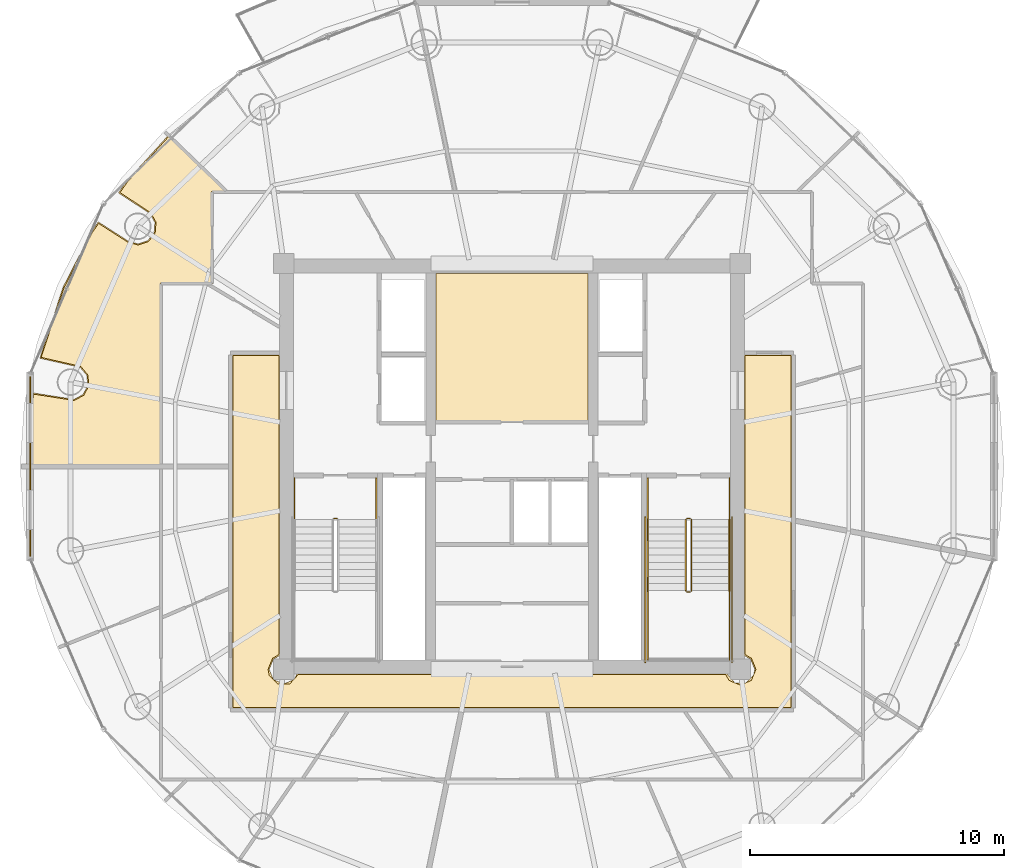
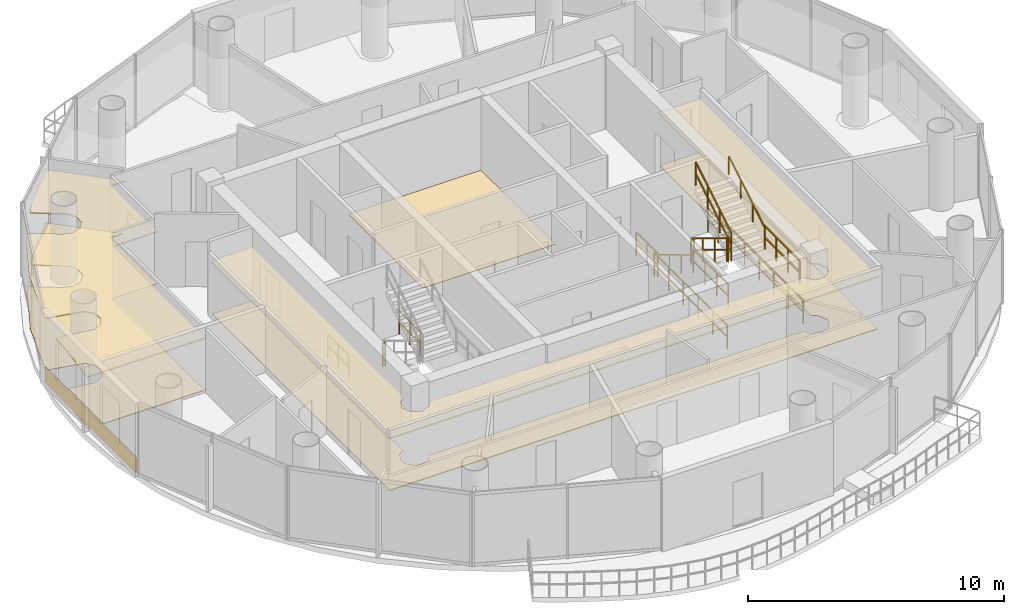
# One storey, part 22 of 23: 15 railings, 6 coverings.
"""IFC4 building model written with IfcOpenShell, lengths in metres."""

import ifcopenshell
import ifcopenshell.guid

model = None  # the IFC model being written
_history = None  # IfcOwnerHistory: only IFC2X3 demands one
_inside = {}  # id of a spatial element -> (the spatial element, [elements in it])
_under = {}  # id of a project, library or spatial element -> (it, [spatial elements below it])
_declared = {}  # id of a project -> (the project, [libraries it declares])
_typed = {}  # id of a type object -> (the type object, [elements of that type])
_made_of = {}  # id of a material, layer set ... -> (it, [elements and type objects made of it])


def new_model(schema):
    """Start an empty IFC model of exactly this schema.

    Asked for "IFC4X3", IfcOpenShell would pick the latest addendum, in which some entities
    have other attributes; the version numbers below select the first issue.
    IFC2X3 requires an IfcOwnerHistory on every rooted entity: one is made here for all.
    """
    global model, _history
    if schema == "IFC4X3":
        model = ifcopenshell.file(schema_version=(4, 3, 0, 0))
    else:
        model = ifcopenshell.file(schema=schema)
    _inside.clear()
    _under.clear()
    _declared.clear()
    _typed.clear()
    _made_of.clear()
    _history = None
    if model.schema == "IFC2X3":
        org = make("IfcOrganization", Name="unknown")
        user = make(
            "IfcPersonAndOrganization",
            ThePerson=make("IfcPerson", FamilyName="unknown"),
            TheOrganization=org,
        )
        app = make(
            "IfcApplication",
            ApplicationDeveloper=org,
            Version="unknown",
            ApplicationFullName="unknown",
            ApplicationIdentifier="unknown",
        )
        _history = make(
            "IfcOwnerHistory",
            OwningUser=user,
            OwningApplication=app,
            ChangeAction="ADDED",
            CreationDate=0,
        )
    return model


def make(cls, **values):
    """One entity of the class cls with the attributes given. An attribute that is None is left unset."""
    return model.create_entity(
        cls, **{name: value for name, value in values.items() if value is not None}
    )


def rooted(cls, **values):
    """An entity with a GlobalId (a new one), such as an element, a storey or a relation."""
    return make(cls, GlobalId=ifcopenshell.guid.new(), OwnerHistory=_history, **values)


def si_unit(unit_type, name, prefix=None):
    """IfcSIUnit, for example si_unit("LENGTHUNIT", "METRE", prefix="MILLI")."""
    return make("IfcSIUnit", UnitType=unit_type, Prefix=prefix, Name=name)


def assignment(units):
    """IfcUnitAssignment: the units of a project."""
    return None if units is None else make("IfcUnitAssignment", Units=units)


def point(xyz):
    """IfcCartesianPoint."""
    return None if xyz is None else make("IfcCartesianPoint", Coordinates=xyz)


def direction(xyz):
    """IfcDirection."""
    return None if xyz is None else make("IfcDirection", DirectionRatios=xyz)


def frame(location, z_axis=None, x_axis=None):
    """IfcAxis2Placement3D, a coordinate frame: its origin and axes. An axis left out is left unset."""
    return make(
        "IfcAxis2Placement3D",
        Location=point(location),
        Axis=direction(z_axis),
        RefDirection=direction(x_axis),
    )


def frame_2d(location, x_axis=None):
    """IfcAxis2Placement2D, a coordinate frame in the plane: its origin and x axis."""
    return make(
        "IfcAxis2Placement2D", Location=point(location), RefDirection=direction(x_axis)
    )


def origin():
    """The frame at (0, 0, 0) with its axes left unset."""
    return frame((0.0, 0.0, 0.0))


def origin_2d():
    """The frame at (0, 0) in the plane with its x axis left unset."""
    return frame_2d((0.0, 0.0))


def place(relative_to, where):
    """IfcLocalPlacement: puts the frame where relative to a parent placement (None: the world)."""
    return make(
        "IfcLocalPlacement", PlacementRelTo=relative_to, RelativePlacement=where
    )


def context(
    kind, dimensions, precision=None, world=None, true_north=None, identifier=None
):
    """IfcGeometricRepresentationContext, for example the 3D "Model" context."""
    return make(
        "IfcGeometricRepresentationContext",
        ContextIdentifier=identifier,
        ContextType=kind,
        CoordinateSpaceDimension=dimensions,
        Precision=precision,
        WorldCoordinateSystem=world,
        TrueNorth=true_north,
    )


def subcontext(parent, identifier, kind, view, scale=None):
    """IfcGeometricRepresentationSubContext, for example "Body" below "Model"."""
    return make(
        "IfcGeometricRepresentationSubContext",
        ContextIdentifier=identifier,
        ContextType=kind,
        ParentContext=parent,
        TargetScale=scale,
        TargetView=view,
    )


def project(units=None, contexts=None):
    """IfcProject with its units and contexts."""
    return rooted(
        "IfcProject",
        Name="project",
        RepresentationContexts=contexts,
        UnitsInContext=assignment(units),
    )


def spatial(cls, under=None, at=None, **own):
    """A site, building, storey or space (cls), placed at a placement, below another one or the project."""
    s = rooted(cls, ObjectPlacement=at, **own)
    if under is not None:
        _under.setdefault(under.id(), (under, []))[1].append(s)
    return s


def polyline(points):
    """IfcPolyline through the points."""
    return make("IfcPolyline", Points=[point(p) for p in points])


def profile(cls, at=None, kind="AREA", **sizes):
    """A parametric profile (cls). Its sizes go by their IFC names, for example OverallWidth=200.0."""
    return make(cls, ProfileType=kind, Position=at, **sizes)


def rectangle(**sizes):
    """IfcRectangleProfileDef."""
    return profile("IfcRectangleProfileDef", **sizes)


def outline(outer, holes=None, kind="AREA"):
    """IfcArbitraryClosedProfileDef: a profile drawn as a closed curve; with holes, ...WithVoids."""
    if holes is None:
        return make("IfcArbitraryClosedProfileDef", ProfileType=kind, OuterCurve=outer)
    return make(
        "IfcArbitraryProfileDefWithVoids",
        ProfileType=kind,
        OuterCurve=outer,
        InnerCurves=holes,
    )


def extrude(swept, where, along, depth):
    """IfcExtrudedAreaSolid: the profile swept, set in the frame where, extruded along a direction by depth."""
    return make(
        "IfcExtrudedAreaSolid",
        SweptArea=swept,
        Position=where,
        ExtrudedDirection=direction(along),
        Depth=depth,
    )


def shape(context_of_items, identifier, shape_type, items):
    """IfcShapeRepresentation: the items that make up one representation, for example the "Body"."""
    return make(
        "IfcShapeRepresentation",
        ContextOfItems=context_of_items,
        RepresentationIdentifier=identifier,
        RepresentationType=shape_type,
        Items=items,
    )


def source(mapping_origin, context_of_items, identifier, shape_type, items):
    """IfcRepresentationMap: a shape defined once, which mapped items show again and again."""
    return make(
        "IfcRepresentationMap",
        MappingOrigin=mapping_origin,
        MappedRepresentation=shape(context_of_items, identifier, shape_type, items),
    )


def transform(
    local_origin,
    x_axis=None,
    y_axis=None,
    z_axis=None,
    scale=None,
    scale2=None,
    scale3=None,
    uniform=True,
):
    """IfcCartesianTransformationOperator3D, or its non-uniform kind. x_axis, y_axis, z_axis: its Axis1, 2, 3."""
    if uniform:
        return make(
            "IfcCartesianTransformationOperator3D",
            Axis1=direction(x_axis),
            Axis2=direction(y_axis),
            LocalOrigin=point(local_origin),
            Scale=scale,
            Axis3=direction(z_axis),
        )
    return make(
        "IfcCartesianTransformationOperator3DnonUniform",
        Axis1=direction(x_axis),
        Axis2=direction(y_axis),
        LocalOrigin=point(local_origin),
        Scale=scale,
        Axis3=direction(z_axis),
        Scale2=scale2,
        Scale3=scale3,
    )


def mapped(mapping_source, mapping_target):
    """IfcMappedItem: shows the shape of a source again, moved by a transform."""
    return make(
        "IfcMappedItem", MappingSource=mapping_source, MappingTarget=mapping_target
    )


def material(Name=None, Category=None):
    """IfcMaterial."""
    return make("IfcMaterial", Name=Name, Category=Category)


def layer(
    of_material, thickness, ventilated=None, Name=None, Category=None, Priority=None
):
    """IfcMaterialLayer: one layer of a wall or slab, of a material (None: an air gap)."""
    return make(
        "IfcMaterialLayer",
        Material=of_material,
        LayerThickness=thickness,
        IsVentilated=ventilated,
        Name=Name,
        Category=Category,
        Priority=Priority,
    )


def layer_set(layers, Name=None):
    """IfcMaterialLayerSet."""
    return make("IfcMaterialLayerSet", MaterialLayers=layers, LayerSetName=Name)


def made_of(thing, what):
    """Note that an element or type object is made of a material, layer set ...; save() writes the relation."""
    if what is not None:
        _made_of.setdefault(what.id(), (what, []))[1].append(thing)
    return thing


def type_object(cls, material=None, **own):
    """A type object (cls), such as IfcWallType, which elements share."""
    return made_of(rooted(cls, **own), material)


def element(
    cls,
    number,
    at=None,
    inside=None,
    cuts=None,
    type_object=None,
    material=None,
    context=None,
    identifier="Body",
    shape_type=None,
    held_by="IfcProductDefinitionShape",
    body=None,
    shapes=None,
    **own,
):
    """One element of the class cls, such as IfcWall. Its Tag is "e" and its number.

    at: its placement. inside: the storey or other place that contains it. cuts: it is an
    opening in that element (IfcRelVoidsElement). A single representation is given by context,
    identifier, shape_type and body (its items); several are given by shapes. held_by: the class
    of the entity that holds the representations. save() writes the other relations.
    """
    e = rooted(cls, Tag="e%d" % number, ObjectPlacement=at, **own)
    if body is not None:
        shapes = [shape(context, identifier, shape_type, body)]
    if shapes is not None:
        e.Representation = make(held_by, Representations=shapes)
    if inside is not None:
        _inside.setdefault(inside.id(), (inside, []))[1].append(e)
    if cuts is not None:
        rooted(
            "IfcRelVoidsElement", RelatingBuildingElement=cuts, RelatedOpeningElement=e
        )
    if type_object is not None:
        _typed.setdefault(type_object.id(), (type_object, []))[1].append(e)
    return made_of(e, material)


def aggregate(whole, parts):
    """IfcRelAggregates: a whole, such as a stair, and the parts it consists of."""
    return rooted("IfcRelAggregates", RelatingObject=whole, RelatedObjects=parts)


def save(model, path):
    """Write the relations noted so far, then the file.

    IfcRelAggregates (storeys below a building ...), IfcRelContainedInSpatialStructure (elements
    in a storey), IfcRelDefinesByType, IfcRelAssociatesMaterial and IfcRelDeclares: one each for
    every whole, place, type object, material and project.
    """
    for whole, parts in _under.values():
        aggregate(whole, parts)
    for where, things in _inside.values():
        rooted(
            "IfcRelContainedInSpatialStructure",
            RelatedElements=things,
            RelatingStructure=where,
        )
    for kind, things in _typed.values():
        rooted("IfcRelDefinesByType", RelatedObjects=things, RelatingType=kind)
    for what, things in _made_of.values():
        rooted("IfcRelAssociatesMaterial", RelatedObjects=things, RelatingMaterial=what)
    for by, libraries in _declared.values():
        rooted("IfcRelDeclares", RelatingContext=by, RelatedDefinitions=libraries)
    model.write(path)


model = new_model("IFC4")

# Units and contexts
model_context = context("Model", 3, precision=1e-05, world=origin(), true_north=direction((-0.2419218956, 0.970295726276)))
body_context = subcontext(model_context, "Body", "Model", "MODEL_VIEW")
ifc_project = project(units=[si_unit("LENGTHUNIT", "METRE"), si_unit("AREAUNIT", "SQUARE_METRE"), si_unit("VOLUMEUNIT", "CUBIC_METRE"), si_unit("PLANEANGLEUNIT", "RADIAN"), si_unit("MASSUNIT", "GRAM", prefix="KILO")], contexts=[model_context])

# Site, building, storey
site_placement = place(None, origin())
site = spatial("IfcSite", under=ifc_project, at=site_placement, CompositionType="ELEMENT")
building_placement = place(site_placement, origin())
building = spatial("IfcBuilding", under=site, at=building_placement, Name="Cobrevalo Terracotta Tower", CompositionType="ELEMENT")
storey_placement = place(building_placement, frame((0.0, 0.0, 266.949951171875)))
storey = spatial("IfcBuildingStorey", under=building, at=storey_placement, Name="L70", CompositionType="ELEMENT", Elevation=266.949951171875)

# Coverings
ifc_material_1 = material(Name="Engineered Brazilian hardwood flooring", Category="wood")
ifc_layer_1 = layer(ifc_material_1, 0.028076171875)
ifc_layer_set_1 = layer_set([ifc_layer_1], Name="Engineered Brazilian hardwood flooring")
covering_type_1 = type_object("IfcCoveringType", Name="Engineered Hardwood Suite Flooring 28", PredefinedType="FLOORING", material=ifc_layer_set_1)
covering_1_placement = place(storey_placement, origin())
element("IfcCovering", 1, at=covering_1_placement, inside=storey, type_object=covering_type_1, Name="Flat L70A Private Cinema Room floor finish", PredefinedType="FLOORING", context=body_context, shape_type="SweptSolid", body=[
    extrude(outline(polyline([(26.72021484375, 37.64501953125), (26.155029296875, 37.64501953125), (26.155029296875, 34.030029296875), (24.14501953125, 34.030029296875), (24.14501953125, 26.820068359375), (18.88134765625, 26.820068359375), (19.1357421875, 29.65087890625), (20.740966796875, 29.401611328125), (21.118408203125, 29.60693359375), (21.318115234375, 29.9873046875), (21.272705078125, 30.41455078125), (20.99755859375, 30.74462890625), (19.43505859375, 31.1005859375), (20.33544921875, 33.848876953125), (21.44140625, 36.009765625), (21.699951171875, 36.382568359375), (22.842529296875, 35.649169921875), (23.255126953125, 35.532470703125), (23.663818359375, 35.664794921875), (23.93017578125, 36.001953125), (23.964599609375, 36.43017578125), (23.7548828125, 36.805419921875), (22.5439453125, 37.599365234375), (22.830810546875, 38.01318359375), (24.47021484375, 39.81396484375), (26.72021484375, 37.64501953125)])), origin(), (0.0, 0.0, 1.0), 0.030029296875),
])
ifc_material_2 = material(Name="Honed terracotta and granite tile", Category="masonry")
ifc_layer_2 = layer(ifc_material_2, 0.034912109375)
ifc_layer_set_2 = layer_set([ifc_layer_2], Name="Honed terracotta and granite tile")
covering_type_2 = type_object("IfcCoveringType", Name="Honed Terracotta & Granite Interior Flooring 35", PredefinedType="FLOORING", material=ifc_layer_set_2)
covering_2_placement = place(storey_placement, origin())
element("IfcCovering", 2, at=covering_2_placement, inside=storey, type_object=covering_type_2, Name="Floor Electrical Switchroom floor finish", PredefinedType="FLOORING", context=body_context, shape_type="SweptSolid", body=[
    extrude(outline(polyline([(35.010009765625, 34.405029296875), (40.989990234375, 34.405029296875), (40.989990234375, 28.580078125), (35.010009765625, 28.580078125), (35.010009765625, 34.405029296875)])), origin(), (0.0, 0.0, 1.0), 0.030029296875),
])
covering_3_placement = place(storey_placement, origin())
element("IfcCovering", 3, at=covering_3_placement, inside=storey, type_object=covering_type_2, Name="L70 Residential Floor Corridor floor finish", PredefinedType="FLOORING", context=body_context, shape_type="SweptSolid", body=[
    extrude(outline(polyline([(26.9951171875, 31.179931640625), (28.804931640625, 31.179931640625), (28.804931640625, 19.381591796875), (28.561279296875, 19.23876953125), (28.379638671875, 18.800048828125), (28.4267578125, 18.5625), (28.7626953125, 18.226806640625), (29.2373046875, 18.226806640625), (29.58154296875, 18.60498046875), (46.41845703125, 18.60498046875), (46.561279296875, 18.361328125), (47.0, 18.1796875), (47.438720703125, 18.361328125), (47.620361328125, 18.800048828125), (47.438720703125, 19.23876953125), (47.195068359375, 19.381591796875), (47.195068359375, 31.179931640625), (49.0048828125, 31.179931640625), (49.0048828125, 17.294921875), (26.9951171875, 17.294921875), (26.9951171875, 31.179931640625)])), origin(), (0.0, 0.0, 1.0), 0.030029296875),
])
ifc_material_3 = material(Name="Acoustic perforated gypsum ceiling", Category="gypsum")
ifc_layer_3 = layer(ifc_material_3, 0.050048828125)
ifc_layer_set_3 = layer_set([ifc_layer_3], Name="Acoustic perforated gypsum ceiling")
covering_type_3 = type_object("IfcCoveringType", Name="Perforated Acoustic Gypsum Ceiling 50", PredefinedType="CEILING", material=ifc_layer_set_3)
covering_4_placement = place(storey_placement, frame((0.0, 0.0, 2.5)))
element("IfcCovering", 4, at=covering_4_placement, inside=storey, type_object=covering_type_3, Name="L70 Residential Floor Corridor acoustic ceiling", PredefinedType="CEILING", context=body_context, shape_type="SweptSolid", body=[
    extrude(outline(polyline([(26.949951171875, 31.22509765625), (28.85009765625, 31.22509765625), (28.85009765625, 19.3447265625), (28.59375, 19.206298828125), (28.425537109375, 18.800048828125), (28.59375, 18.393798828125), (29.0, 18.2255859375), (29.40625, 18.393798828125), (29.544677734375, 18.64990234375), (46.455322265625, 18.64990234375), (46.780029296875, 18.269287109375), (47.219970703125, 18.269287109375), (47.53076171875, 18.580078125), (47.574462890625, 18.800048828125), (47.40625, 19.206298828125), (47.14990234375, 19.3447265625), (47.14990234375, 31.22509765625), (49.050048828125, 31.22509765625), (49.050048828125, 17.25), (26.949951171875, 17.25), (26.949951171875, 31.22509765625)])), origin(), (0.0, 0.0, 1.0), 0.050048828125),
])
covering_5_placement = place(storey_placement, frame((0.0, 0.0, 2.5)))
element("IfcCovering", 5, at=covering_5_placement, inside=storey, type_object=covering_type_3, Name="Flat L70A Private Cinema Room acoustic ceiling", PredefinedType="CEILING", context=body_context, shape_type="SweptSolid", body=[
    extrude(outline(polyline([(26.831787109375, 37.60009765625), (26.199951171875, 37.60009765625), (26.199951171875, 33.985107421875), (24.18994140625, 33.985107421875), (24.18994140625, 26.77490234375), (18.833251953125, 26.77490234375), (19.100830078125, 29.703369140625), (20.731689453125, 29.44580078125), (21.086181640625, 29.638671875), (21.273681640625, 29.995849609375), (21.23095703125, 30.39697265625), (20.97265625, 30.70703125), (19.3818359375, 31.06494140625), (20.2939453125, 33.86669921875), (21.40283203125, 36.032958984375), (21.687744140625, 36.44384765625), (22.864990234375, 35.688232421875), (23.254150390625, 35.57763671875), (23.637939453125, 35.701904296875), (23.88818359375, 36.0185546875), (23.92041015625, 36.420654296875), (23.7236328125, 36.772705078125), (22.48046875, 37.586669921875), (22.795654296875, 38.041259765625), (24.468017578125, 39.87841796875), (26.831787109375, 37.60009765625)])), origin(), (0.0, 0.0, 1.0), 0.050048828125),
])

# Railings
ifc_material_4 = material(Name="Brushed stainless steel", Category="steel")
railing_type_1 = type_object("IfcRailingType", Name="Stainless Steel Stair Handrail 900", PredefinedType="HANDRAIL", material=ifc_material_4)
railing_1_placement = place(storey_placement, frame((43.35498046875, 24.699951171875, 0.17041015625)))
element("IfcRailing", 6, at=railing_1_placement, inside=storey, type_object=railing_type_1, Name="L70 ST-2 stair handrail 1", PredefinedType="HANDRAIL", context=body_context, shape_type="SweptSolid", body=[
    extrude(rectangle(XDim=0.048095703125, YDim=0.048095703125, at=origin_2d()), frame((0.0, 0.0, 0.8759765625), z_axis=(0.0, -0.854169791009, 0.51999420009), x_axis=(1.0, 0.0, 0.0)), (0.0, 0.0, 1.0), 3.278076171875),
    extrude(rectangle(XDim=0.0419921875, YDim=0.0419921875, at=origin_2d()), origin(), (0.0, 0.0, 1.0), 0.851806640625),
    extrude(rectangle(XDim=0.0419921875, YDim=0.0419921875, at=origin_2d()), frame((0.0, -0.933349609375, 0.568115234375)), (0.0, 0.0, 1.0), 0.851806640625),
    extrude(rectangle(XDim=0.0419921875, YDim=0.0419921875, at=origin_2d()), frame((0.0, -1.86669921875, 1.136474609375)), (0.0, 0.0, 1.0), 0.851806640625),
    extrude(rectangle(XDim=0.0419921875, YDim=0.0419921875, at=origin_2d()), frame((0.0, -2.800048828125, 1.70458984375)), (0.0, 0.0, 1.0), 0.851806640625),
])
railing_2_placement = place(storey_placement, frame((46.574951171875, 21.89990234375, 2.04541015625)))
element("IfcRailing", 7, at=railing_2_placement, inside=storey, type_object=railing_type_1, Name="L70 ST-2 stair handrail 2", PredefinedType="HANDRAIL", context=body_context, shape_type="SweptSolid", body=[
    extrude(rectangle(XDim=0.048095703125, YDim=0.048095703125, at=origin_2d()), frame((0.0, 0.0, 0.8759765625), z_axis=(0.0, 0.854169791009, 0.51999420009), x_axis=(-1.0, 0.0, 0.0)), (0.0, 0.0, 1.0), 3.278076171875),
    extrude(rectangle(XDim=0.0419921875, YDim=0.0419921875, at=origin_2d()), origin(), (0.0, 0.0, 1.0), 0.851806640625),
    extrude(rectangle(XDim=0.0419921875, YDim=0.0419921875, at=origin_2d()), frame((0.0, 0.933349609375, 0.568115234375)), (0.0, 0.0, 1.0), 0.851806640625),
    extrude(rectangle(XDim=0.0419921875, YDim=0.0419921875, at=origin_2d()), frame((0.0, 1.86669921875, 1.136474609375)), (0.0, 0.0, 1.0), 0.851806640625),
    extrude(rectangle(XDim=0.0419921875, YDim=0.0419921875, at=origin_2d()), frame((0.0, 2.800048828125, 1.70458984375)), (0.0, 0.0, 1.0), 0.851806640625),
])
ifc_material_5 = material(Name="Painted galvanized steel", Category="steel")
railing_type_2 = type_object("IfcRailingType", Name="Stair Well Guard Balustrade 1150", PredefinedType="GUARDRAIL", material=ifc_material_5)
railing_3_placement = place(storey_placement, frame((30.97509765625, 24.75, 0.0)))
element("IfcRailing", 8, at=railing_3_placement, inside=storey, type_object=railing_type_2, Name="L70 ST-1 stair guard 7", PredefinedType="GUARDRAIL", context=body_context, shape_type="SweptSolid", body=[
    extrude(rectangle(XDim=0.048095703125, YDim=0.048095703125, at=origin_2d()), frame((0.0, 0.0, 1.1259765625), z_axis=(1.0, 0.0, 0.0), x_axis=(0.0, 1.0, 0.0)), (0.0, 0.0, 1.0), 0.119873046875),
    extrude(rectangle(XDim=0.048095703125, YDim=0.048095703125, at=origin_2d()), frame((0.0, 0.0, 0.574951171875), z_axis=(1.0, 0.0, 0.0), x_axis=(0.0, 1.0, 0.0)), (0.0, 0.0, 1.0), 0.119873046875),
    extrude(rectangle(XDim=0.0419921875, YDim=0.0419921875, at=origin_2d()), origin(), (0.0, 0.0, 1.0), 1.101806640625),
    extrude(rectangle(XDim=0.0419921875, YDim=0.0419921875, at=origin_2d()), frame((0.119873046875, 0.0, 0.0)), (0.0, 0.0, 1.0), 1.101806640625),
])
for number, where, name in (
    (9, (29.425048828125, 26.35009765625, 0.0), "L70 ST-1 stair guard 8"),
    (10, (32.64501953125, 26.35009765625, 0.0), "L70 ST-1 stair guard 9"),
):
    element("IfcRailing", number, at=place(storey_placement, frame(where)), inside=storey, type_object=railing_type_2, Name=name, PredefinedType="GUARDRAIL", context=body_context, shape_type="SweptSolid", body=[
        extrude(rectangle(XDim=0.048095703125, YDim=0.048095703125, at=origin_2d()), frame((0.0, 0.0, 1.1259765625), z_axis=(0.0, -1.0, 0.0), x_axis=(1.0, 0.0, 0.0)), (0.0, 0.0, 1.0), 1.650146484375),
        extrude(rectangle(XDim=0.048095703125, YDim=0.048095703125, at=origin_2d()), frame((0.0, 0.0, 0.574951171875), z_axis=(0.0, -1.0, 0.0), x_axis=(1.0, 0.0, 0.0)), (0.0, 0.0, 1.0), 1.650146484375),
        extrude(rectangle(XDim=0.0419921875, YDim=0.0419921875, at=origin_2d()), origin(), (0.0, 0.0, 1.0), 1.101806640625),
        extrude(rectangle(XDim=0.0419921875, YDim=0.0419921875, at=origin_2d()), frame((0.0, -0.8251953125, 0.0)), (0.0, 0.0, 1.0), 1.101806640625),
        extrude(rectangle(XDim=0.0419921875, YDim=0.0419921875, at=origin_2d()), frame((0.0, -1.650146484375, 0.0)), (0.0, 0.0, 1.0), 1.101806640625),
    ])
railing_4_placement = place(storey_placement, frame((44.85498046875, 24.699951171875, 0.17041015625)))
element("IfcRailing", 11, at=railing_4_placement, inside=storey, type_object=railing_type_2, Name="L70 ST-2 stair guard 1", PredefinedType="GUARDRAIL", context=body_context, shape_type="SweptSolid", body=[
    extrude(rectangle(XDim=0.048095703125, YDim=0.048095703125, at=origin_2d()), frame((0.0, 0.0, 1.1259765625), z_axis=(0.0, -0.854169791009, 0.51999420009), x_axis=(1.0, 0.0, 0.0)), (0.0, 0.0, 1.0), 3.278076171875),
    extrude(rectangle(XDim=0.048095703125, YDim=0.048095703125, at=origin_2d()), frame((0.0, 0.0, 0.574951171875), z_axis=(0.0, -0.854169791009, 0.51999420009), x_axis=(1.0, 0.0, 0.0)), (0.0, 0.0, 1.0), 3.278076171875),
    extrude(rectangle(XDim=0.0419921875, YDim=0.0419921875, at=origin_2d()), origin(), (0.0, 0.0, 1.0), 1.101806640625),
    extrude(rectangle(XDim=0.0419921875, YDim=0.0419921875, at=origin_2d()), frame((0.0, -0.933349609375, 0.568115234375)), (0.0, 0.0, 1.0), 1.101806640625),
    extrude(rectangle(XDim=0.0419921875, YDim=0.0419921875, at=origin_2d()), frame((0.0, -1.86669921875, 1.136474609375)), (0.0, 0.0, 1.0), 1.101806640625),
    extrude(rectangle(XDim=0.0419921875, YDim=0.0419921875, at=origin_2d()), frame((0.0, -2.800048828125, 1.70458984375)), (0.0, 0.0, 1.0), 1.101806640625),
])
railing_5_placement = place(storey_placement, frame((44.905029296875, 21.85009765625, 1.875)))
element("IfcRailing", 12, at=railing_5_placement, inside=storey, type_object=railing_type_2, Name="L70 ST-2 stair guard 2", PredefinedType="GUARDRAIL", context=body_context, shape_type="SweptSolid", body=[
    extrude(rectangle(XDim=0.048095703125, YDim=0.048095703125, at=origin_2d()), frame((0.0, 0.0, 1.1259765625), z_axis=(1.0, 0.0, 0.0), x_axis=(0.0, 1.0, 0.0)), (0.0, 0.0, 1.0), 0.119873046875),
    extrude(rectangle(XDim=0.048095703125, YDim=0.048095703125, at=origin_2d()), frame((0.0, 0.0, 0.574951171875), z_axis=(1.0, 0.0, 0.0), x_axis=(0.0, 1.0, 0.0)), (0.0, 0.0, 1.0), 0.119873046875),
    extrude(rectangle(XDim=0.0419921875, YDim=0.0419921875, at=origin_2d()), origin(), (0.0, 0.0, 1.0), 1.101806640625),
    extrude(rectangle(XDim=0.0419921875, YDim=0.0419921875, at=origin_2d()), frame((0.119873046875, 0.0, 0.0)), (0.0, 0.0, 1.0), 1.101806640625),
])
for number, where, name in (
    (13, (43.35498046875, 21.89990234375, 1.875), "L70 ST-2 stair guard 3"),
    (14, (46.574951171875, 21.89990234375, 1.875), "L70 ST-2 stair guard 4"),
):
    element("IfcRailing", number, at=place(storey_placement, frame(where)), inside=storey, type_object=railing_type_2, Name=name, PredefinedType="GUARDRAIL", context=body_context, shape_type="SweptSolid", body=[
        extrude(rectangle(XDim=0.048095703125, YDim=0.048095703125, at=origin_2d()), frame((0.0, 0.0, 1.1259765625), z_axis=(0.0, -1.0, 0.0), x_axis=(1.0, 0.0, 0.0)), (0.0, 0.0, 1.0), 2.724853515625),
        extrude(rectangle(XDim=0.048095703125, YDim=0.048095703125, at=origin_2d()), frame((0.0, 0.0, 0.574951171875), z_axis=(0.0, -1.0, 0.0), x_axis=(1.0, 0.0, 0.0)), (0.0, 0.0, 1.0), 2.724853515625),
        extrude(rectangle(XDim=0.0419921875, YDim=0.0419921875, at=origin_2d()), origin(), (0.0, 0.0, 1.0), 1.101806640625),
        extrude(rectangle(XDim=0.0419921875, YDim=0.0419921875, at=origin_2d()), frame((0.0, -0.908203125, 0.0)), (0.0, 0.0, 1.0), 1.101806640625),
        extrude(rectangle(XDim=0.0419921875, YDim=0.0419921875, at=origin_2d()), frame((0.0, -1.816650390625, 0.0)), (0.0, 0.0, 1.0), 1.101806640625),
        extrude(rectangle(XDim=0.0419921875, YDim=0.0419921875, at=origin_2d()), frame((0.0, -2.724853515625, 0.0)), (0.0, 0.0, 1.0), 1.101806640625),
    ])
railing_6_placement = place(storey_placement, frame((45.074951171875, 21.89990234375, 2.04541015625)))
element("IfcRailing", 15, at=railing_6_placement, inside=storey, type_object=railing_type_2, Name="L70 ST-2 stair guard 6", PredefinedType="GUARDRAIL", context=body_context, shape_type="SweptSolid", body=[
    extrude(rectangle(XDim=0.048095703125, YDim=0.048095703125, at=origin_2d()), frame((0.0, 0.0, 1.1259765625), z_axis=(0.0, 0.854169791009, 0.51999420009), x_axis=(-1.0, 0.0, 0.0)), (0.0, 0.0, 1.0), 3.278076171875),
    extrude(rectangle(XDim=0.048095703125, YDim=0.048095703125, at=origin_2d()), frame((0.0, 0.0, 0.574951171875), z_axis=(0.0, 0.854169791009, 0.51999420009), x_axis=(-1.0, 0.0, 0.0)), (0.0, 0.0, 1.0), 3.278076171875),
    extrude(rectangle(XDim=0.0419921875, YDim=0.0419921875, at=origin_2d()), origin(), (0.0, 0.0, 1.0), 1.101806640625),
    extrude(rectangle(XDim=0.0419921875, YDim=0.0419921875, at=origin_2d()), frame((0.0, 0.933349609375, 0.568115234375)), (0.0, 0.0, 1.0), 1.101806640625),
    extrude(rectangle(XDim=0.0419921875, YDim=0.0419921875, at=origin_2d()), frame((0.0, 1.86669921875, 1.136474609375)), (0.0, 0.0, 1.0), 1.101806640625),
    extrude(rectangle(XDim=0.0419921875, YDim=0.0419921875, at=origin_2d()), frame((0.0, 2.800048828125, 1.70458984375)), (0.0, 0.0, 1.0), 1.101806640625),
])
railing_7_placement = place(storey_placement, frame((44.905029296875, 24.75, 0.0)))
element("IfcRailing", 16, at=railing_7_placement, inside=storey, type_object=railing_type_2, Name="L70 ST-2 stair guard 7", PredefinedType="GUARDRAIL", context=body_context, shape_type="SweptSolid", body=[
    extrude(rectangle(XDim=0.048095703125, YDim=0.048095703125, at=origin_2d()), frame((0.0, 0.0, 1.1259765625), z_axis=(1.0, 0.0, 0.0), x_axis=(0.0, 1.0, 0.0)), (0.0, 0.0, 1.0), 0.119873046875),
    extrude(rectangle(XDim=0.048095703125, YDim=0.048095703125, at=origin_2d()), frame((0.0, 0.0, 0.574951171875), z_axis=(1.0, 0.0, 0.0), x_axis=(0.0, 1.0, 0.0)), (0.0, 0.0, 1.0), 0.119873046875),
    extrude(rectangle(XDim=0.0419921875, YDim=0.0419921875, at=origin_2d()), origin(), (0.0, 0.0, 1.0), 1.101806640625),
    extrude(rectangle(XDim=0.0419921875, YDim=0.0419921875, at=origin_2d()), frame((0.119873046875, 0.0, 0.0)), (0.0, 0.0, 1.0), 1.101806640625),
])
for number, where, name in (
    (17, (43.35498046875, 26.35009765625, 0.0), "L70 ST-2 stair guard 8"),
    (18, (46.574951171875, 26.35009765625, 0.0), "L70 ST-2 stair guard 9"),
):
    element("IfcRailing", number, at=place(storey_placement, frame(where)), inside=storey, type_object=railing_type_2, Name=name, PredefinedType="GUARDRAIL", context=body_context, shape_type="SweptSolid", body=[
        extrude(rectangle(XDim=0.048095703125, YDim=0.048095703125, at=origin_2d()), frame((0.0, 0.0, 1.1259765625), z_axis=(0.0, -1.0, 0.0), x_axis=(1.0, 0.0, 0.0)), (0.0, 0.0, 1.0), 1.650146484375),
        extrude(rectangle(XDim=0.048095703125, YDim=0.048095703125, at=origin_2d()), frame((0.0, 0.0, 0.574951171875), z_axis=(0.0, -1.0, 0.0), x_axis=(1.0, 0.0, 0.0)), (0.0, 0.0, 1.0), 1.650146484375),
        extrude(rectangle(XDim=0.0419921875, YDim=0.0419921875, at=origin_2d()), origin(), (0.0, 0.0, 1.0), 1.101806640625),
        extrude(rectangle(XDim=0.0419921875, YDim=0.0419921875, at=origin_2d()), frame((0.0, -0.8251953125, 0.0)), (0.0, 0.0, 1.0), 1.101806640625),
        extrude(rectangle(XDim=0.0419921875, YDim=0.0419921875, at=origin_2d()), frame((0.0, -1.650146484375, 0.0)), (0.0, 0.0, 1.0), 1.101806640625),
    ])
for number, where, name in (
    (19, (43.2548828125, 24.800048828125, 0.0), "L70 ST-2 stair guard 10"),
    (20, (46.675048828125, 24.800048828125, 0.0), "L70 ST-2 stair guard 11"),
):
    element("IfcRailing", number, at=place(storey_placement, frame(where)), inside=storey, type_object=railing_type_2, Name=name, PredefinedType="GUARDRAIL", context=body_context, shape_type="SweptSolid", body=[
        extrude(rectangle(XDim=0.048095703125, YDim=0.048095703125, at=origin_2d()), frame((0.0, 0.0, 1.1259765625), z_axis=(0.0, -1.0, 0.0), x_axis=(1.0, 0.0, 0.0)), (0.0, 0.0, 1.0), 5.72509765625),
        extrude(rectangle(XDim=0.048095703125, YDim=0.048095703125, at=origin_2d()), frame((0.0, 0.0, 0.574951171875), z_axis=(0.0, -1.0, 0.0), x_axis=(1.0, 0.0, 0.0)), (0.0, 0.0, 1.0), 5.72509765625),
        extrude(rectangle(XDim=0.0419921875, YDim=0.0419921875, at=origin_2d()), origin(), (0.0, 0.0, 1.0), 1.101806640625),
        extrude(rectangle(XDim=0.0419921875, YDim=0.0419921875, at=origin_2d()), frame((0.0, -1.14501953125, 0.0)), (0.0, 0.0, 1.0), 1.101806640625),
        extrude(rectangle(XDim=0.0419921875, YDim=0.0419921875, at=origin_2d()), frame((0.0, -2.2900390625, 0.0)), (0.0, 0.0, 1.0), 1.101806640625),
        extrude(rectangle(XDim=0.0419921875, YDim=0.0419921875, at=origin_2d()), frame((0.0, -3.43505859375, 0.0)), (0.0, 0.0, 1.0), 1.101806640625),
        extrude(rectangle(XDim=0.0419921875, YDim=0.0419921875, at=origin_2d()), frame((0.0, -4.580078125, 0.0)), (0.0, 0.0, 1.0), 1.101806640625),
        extrude(rectangle(XDim=0.0419921875, YDim=0.0419921875, at=origin_2d()), frame((0.0, -5.72509765625, 0.0)), (0.0, 0.0, 1.0), 1.101806640625),
    ])

# Covering
ifc_material_6 = material(Name="Glazed terracotta facade cladding tile", Category="masonry")
ifc_layer_4 = layer(ifc_material_6, 0.044921875)
ifc_layer_set_4 = layer_set([ifc_layer_4], Name="Glazed terracotta facade cladding tile")
covering_type_4 = type_object("IfcCoveringType", Name="Architectural terracotta rainscreen spandrel cladding 45 mm", PredefinedType="CLADDING", material=ifc_layer_set_4)
shared_shape = source(origin(), body_context, "Body", "SweptSolid", [
    extrude(rectangle(XDim=7.084716796875, YDim=0.044921875, at=origin_2d()), origin(), (0.0, 0.0, 1.0), 0.760009765625),
])
covering_6_placement = place(storey_placement, frame((19.002197265625, 26.800048828125, 0.0400390625), z_axis=(0.0, 0.0, 1.0), x_axis=(0.0, -1.0, 0.0)))
element("IfcCovering", 21, at=covering_6_placement, inside=storey, type_object=covering_type_4, Name="L70 terracotta spandrel cladding S08", PredefinedType="CLADDING", context=body_context, shape_type="MappedRepresentation", body=[
    mapped(shared_shape, transform((0.0, 0.0, 0.0), scale=1.0)),
])

save(model, "model.ifc")
